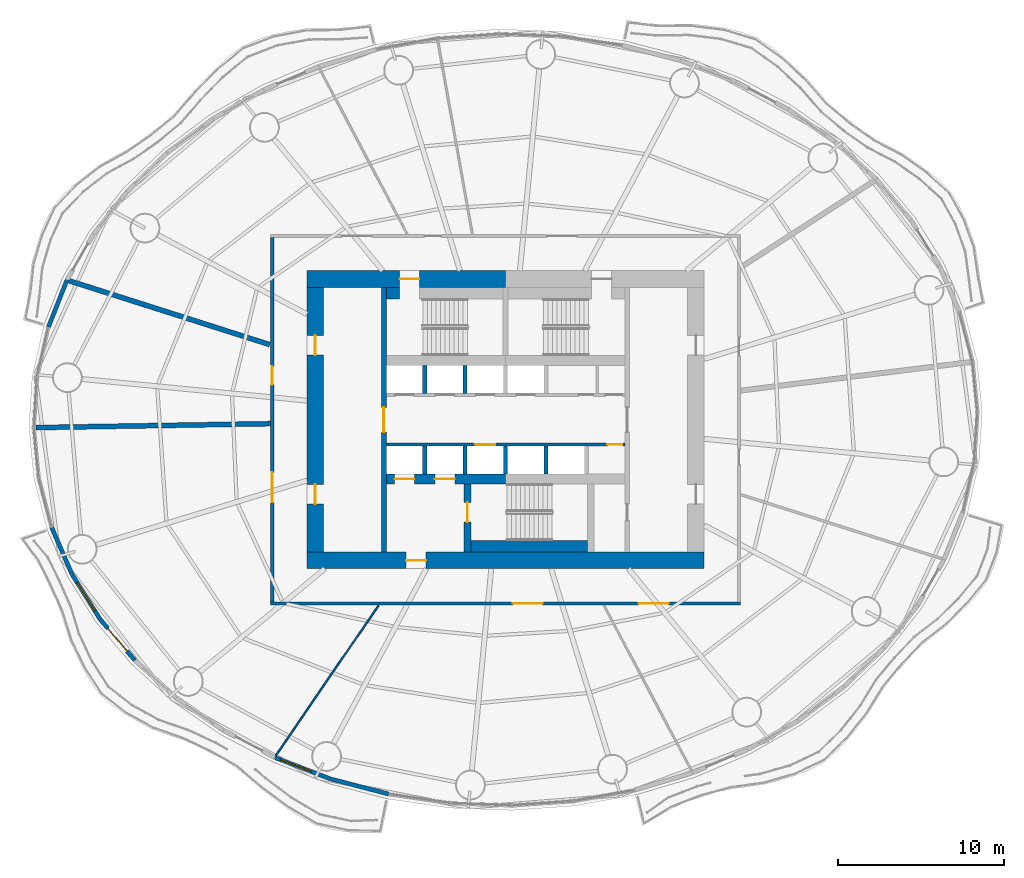
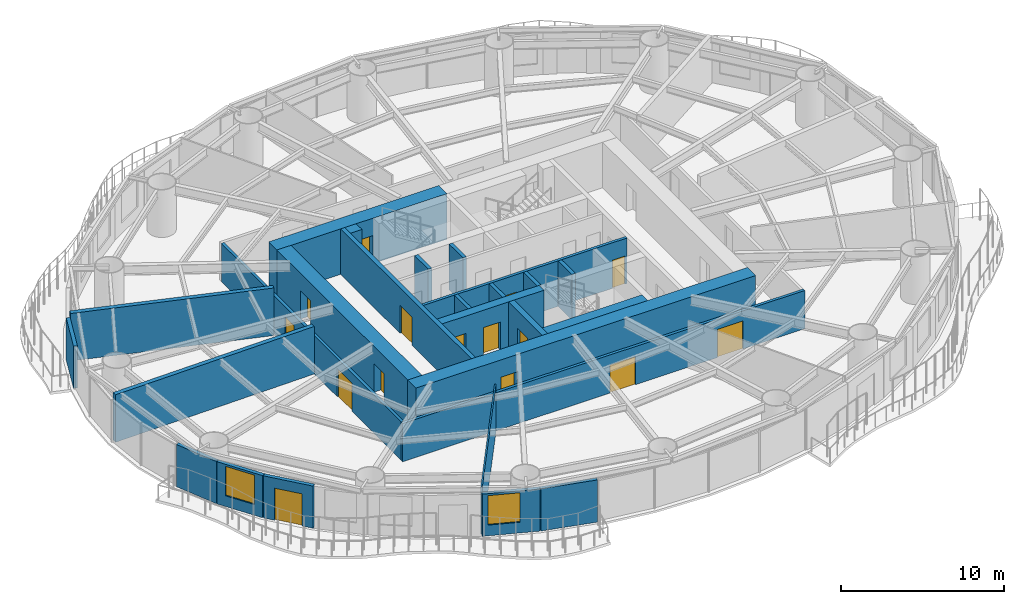
# One storey, part 8 of 17: 26 walls, 15 doors, 2 windows, 17 openings.
"""IFC4 building model written with IfcOpenShell, lengths in metres."""

from ifc_helpers import new_model, si_unit, direction, frame, frame_2d, origin, place, context, subcontext, project, spatial, rectangle, extrude, material, layer, layer_set, type_object, element, fill, save


model = new_model("IFC4")

# Units and contexts
model_context = context("Model", 3, precision=1e-05, world=origin(), true_north=direction((0.0, 1.0)))
body_context = subcontext(model_context, "Body", "Model", "MODEL_VIEW")
ifc_project = project(units=[si_unit("LENGTHUNIT", "METRE"), si_unit("AREAUNIT", "SQUARE_METRE"), si_unit("VOLUMEUNIT", "CUBIC_METRE"), si_unit("PLANEANGLEUNIT", "RADIAN"), si_unit("MASSUNIT", "GRAM", prefix="KILO")], contexts=[model_context])

# Site, building, storey
site_placement = place(None, origin())
site = spatial("IfcSite", under=ifc_project, at=site_placement, CompositionType="ELEMENT")
building_placement = place(site_placement, origin())
building = spatial("IfcBuilding", under=site, at=building_placement, Name="Vermilion Reach Broadcast Tower", CompositionType="ELEMENT")
storey_placement = place(building_placement, frame((0.0, 0.0, 39.699951171875)))
storey = spatial("IfcBuildingStorey", under=building, at=storey_placement, Name="L06", CompositionType="ELEMENT", Elevation=39.699951171875)

# Wall, opening, door
ifc_material_1 = material(Name="Concrete C70", Category="concrete")
ifc_layer_1 = layer(ifc_material_1, 0.300048828125)
ifc_layer_set_1 = layer_set([ifc_layer_1], Name="Core inner wall 300 mm Concrete C70")
wall_type_1 = type_object("IfcWallType", Name="Core inner wall 300 mm Concrete C70", PredefinedType="SHEAR", material=ifc_layer_set_1)
wall_1_placement = place(storey_placement, frame((-13.35009765625, 8.0, 0.0), z_axis=(0.0, 0.0, 1.0), x_axis=(0.0, -1.0, 0.0)))
wall_1 = element("IfcWall", 1, at=wall_1_placement, inside=storey, type_object=wall_type_1, Name="L06 core wall ewW", PredefinedType="SHEAR", context=body_context, shape_type="SweptSolid", body=[
    extrude(rectangle(XDim=16.0, YDim=0.300048828125, at=frame_2d((8.0, 0.0))), origin(), (0.0, 0.0, 1.0), 3.400146484375),
])
opening_1_placement = place(wall_1_placement, frame((7.25, 0.0, 0.0)))
opening_1 = element("IfcOpeningElement", 2, at=opening_1_placement, cuts=wall_1, Name="Opening D04", PredefinedType="OPENING", context=body_context, shape_type="SweptSolid", body=[
    extrude(rectangle(XDim=1.5, YDim=2.10009765625, at=frame_2d((0.75, 1.050048828125))), frame((0.0, 0.159912109375, 0.0), z_axis=(0.0, -1.0, 0.0), x_axis=(1.0, 0.0, 0.0)), (0.0, 0.0, 1.0), 0.320068359375),
])
ifc_material_2 = material(Name="Painted steel fire door", Category="steel")
door_type_1 = type_object("IfcDoorType", Name="Lift lobby door 1500 x 2100", OperationType="DOUBLE_DOOR_SINGLE_SWING", PredefinedType="NOTDEFINED", material=ifc_material_2)
door_1_placement = place(opening_1_placement, origin())
door_1 = element("IfcDoor", 3, at=door_1_placement, inside=storey, type_object=door_type_1, Name="L06 band door BW", OperationType="DOUBLE_DOOR_SINGLE_SWING", OverallHeight=2.10009765625, OverallWidth=1.5, PredefinedType="NOTDEFINED", context=body_context, shape_type="SweptSolid", body=[
    extrude(rectangle(XDim=1.5, YDim=2.10009765625, at=frame_2d((0.75, 1.050048828125))), frame((0.0, 0.02490234375, 0.0), z_axis=(0.0, -1.0, 0.0), x_axis=(1.0, 0.0, 0.0)), (0.0, 0.0, 1.0), 0.050048828125),
])
fill(opening_1, door_1)

ifc_material_3 = material(Name="Concrete C70", Category="concrete")
ifc_layer_2 = layer(ifc_material_3, 0.39990234375)
ifc_layer_set_2 = layer_set([ifc_layer_2], Name="Core inner wall 400 mm Concrete C70")
wall_type_2 = type_object("IfcWallType", Name="Core inner wall 400 mm Concrete C70", PredefinedType="SHEAR", material=ifc_layer_set_2)
wall_2_placement = place(storey_placement, frame((-8.300048828125, -3.8798828125, 0.0), z_axis=(0.0, 0.0, 1.0), x_axis=(0.0, -1.0, 0.0)))
wall_2 = element("IfcWall", 4, at=wall_2_placement, inside=storey, type_object=wall_type_2, Name="L06 core wall wa", PredefinedType="SHEAR", context=body_context, shape_type="SweptSolid", body=[
    extrude(rectangle(XDim=4.1201171875, YDim=0.39990234375, at=frame_2d((2.06005859375, 0.0))), origin(), (0.0, 0.0, 1.0), 3.400146484375),
])
opening_2_placement = place(wall_2_placement, frame((1.110107421875, 0.0, 0.0)))
opening_2 = element("IfcOpeningElement", 5, at=opening_2_placement, cuts=wall_2, Name="Opening D01", PredefinedType="OPENING", context=body_context, shape_type="SweptSolid", body=[
    extrude(rectangle(XDim=1.199951171875, YDim=2.10009765625, at=frame_2d((0.60009765625, 1.050048828125))), frame((0.0, 0.2099609375, 0.0), z_axis=(0.0, -1.0, 0.0), x_axis=(1.0, 0.0, 0.0)), (0.0, 0.0, 1.0), 0.419921875),
])
ifc_material_4 = material(Name="Painted steel fire door", Category="steel")
door_type_2 = type_object("IfcDoorType", Name="Stair door 1200 x 2100", OperationType="DOUBLE_DOOR_SINGLE_SWING", PredefinedType="NOTDEFINED", material=ifc_material_4)
door_2_placement = place(opening_2_placement, origin())
door_2 = element("IfcDoor", 6, at=door_2_placement, inside=storey, type_object=door_type_2, Name="L06 stair door ST3", OperationType="DOUBLE_DOOR_SINGLE_SWING", OverallHeight=2.10009765625, OverallWidth=1.199951171875, PredefinedType="NOTDEFINED", context=body_context, shape_type="SweptSolid", body=[
    extrude(rectangle(XDim=1.199951171875, YDim=2.10009765625, at=frame_2d((0.60009765625, 1.050048828125))), frame((0.0, 0.02490234375, 0.0), z_axis=(0.0, -1.0, 0.0), x_axis=(1.0, 0.0, 0.0)), (0.0, 0.0, 1.0), 0.050048828125),
])
fill(opening_2, door_2)

# Wall, openings, doors
ifc_material_5 = material(Name="Concrete C70", Category="concrete")
ifc_layer_3 = layer(ifc_material_5, 0.60009765625)
ifc_layer_set_3 = layer_set([ifc_layer_3], Name="Core inner wall 600 mm Concrete C70")
wall_type_3 = type_object("IfcWallType", Name="Core inner wall 600 mm Concrete C70", PredefinedType="SHEAR", material=ifc_layer_set_3)
wall_3_placement = place(storey_placement, frame((-13.199951171875, -3.580078125, 0.0), z_axis=(0.0, 0.0, 1.0), x_axis=(1.0, 0.0, 0.0)))
wall_3 = element("IfcWall", 7, at=wall_3_placement, inside=storey, type_object=wall_type_3, Name="L06 core wall wisW", PredefinedType="SHEAR", context=body_context, shape_type="SweptSolid", body=[
    extrude(rectangle(XDim=7.199951171875, YDim=0.60009765625, at=frame_2d((3.60009765625, 0.0))), origin(), (0.0, 0.0, 1.0), 3.400146484375),
])
opening_3_placement = place(wall_3_placement, frame((0.495849609375, 0.0, 0.0)))
opening_3 = element("IfcOpeningElement", 8, at=opening_3_placement, cuts=wall_3, Name="Opening LD1", PredefinedType="OPENING", context=body_context, shape_type="SweptSolid", body=[
    extrude(rectangle(XDim=1.199951171875, YDim=2.10009765625, at=frame_2d((0.60009765625, 1.050048828125))), frame((0.0, 0.31005859375, 0.0), z_axis=(0.0, -1.0, 0.0), x_axis=(1.0, 0.0, 0.0)), (0.0, 0.0, 1.0), 0.6201171875),
])
opening_4_placement = place(wall_3_placement, frame((2.9375, 0.0, 0.0)))
opening_4 = element("IfcOpeningElement", 9, at=opening_4_placement, cuts=wall_3, Name="Opening LD1", PredefinedType="OPENING", context=body_context, shape_type="SweptSolid", body=[
    extrude(rectangle(XDim=1.199951171875, YDim=2.10009765625, at=frame_2d((0.60009765625, 1.050048828125))), frame((0.0, 0.31005859375, 0.0), z_axis=(0.0, -1.0, 0.0), x_axis=(1.0, 0.0, 0.0)), (0.0, 0.0, 1.0), 0.6201171875),
])
ifc_material_6 = material(Name="Stainless steel", Category="steel")
door_type_3 = type_object("IfcDoorType", Name="Landing door 1200 x 2100", OperationType="DOUBLE_DOOR_SLIDING", PredefinedType="NOTDEFINED", material=ifc_material_6)
door_3_placement = place(opening_3_placement, origin())
door_3 = element("IfcDoor", 10, at=door_3_placement, inside=storey, type_object=door_type_3, Name="L06 landing door FF1", OperationType="DOUBLE_DOOR_SLIDING", OverallHeight=2.10009765625, OverallWidth=1.199951171875, PredefinedType="NOTDEFINED", context=body_context, shape_type="SweptSolid", body=[
    extrude(rectangle(XDim=1.199951171875, YDim=2.10009765625, at=frame_2d((0.60009765625, 1.050048828125))), frame((0.0, 0.02490234375, 0.0), z_axis=(0.0, -1.0, 0.0), x_axis=(1.0, 0.0, 0.0)), (0.0, 0.0, 1.0), 0.050048828125),
])
fill(opening_3, door_3)
door_4_placement = place(opening_4_placement, origin())
door_4 = element("IfcDoor", 11, at=door_4_placement, inside=storey, type_object=door_type_3, Name="L06 landing door FF2", OperationType="DOUBLE_DOOR_SLIDING", OverallHeight=2.10009765625, OverallWidth=1.199951171875, PredefinedType="NOTDEFINED", context=body_context, shape_type="SweptSolid", body=[
    extrude(rectangle(XDim=1.199951171875, YDim=2.10009765625, at=frame_2d((0.60009765625, 1.050048828125))), frame((0.0, 0.02490234375, 0.0), z_axis=(0.0, -1.0, 0.0), x_axis=(1.0, 0.0, 0.0)), (0.0, 0.0, 1.0), 0.050048828125),
])
fill(opening_4, door_4)

# Wall, opening, door
ifc_material_7 = material(Name="Concrete C70", Category="concrete")
ifc_layer_4 = layer(ifc_material_7, 1.0)
ifc_layer_set_4 = layer_set([ifc_layer_4], Name="Core outer wall 1000 mm Concrete C70")
wall_type_4 = type_object("IfcWallType", Name="Core outer wall 1000 mm Concrete C70", PredefinedType="SHEAR", material=ifc_layer_set_4)
wall_4_placement = place(storey_placement, frame((-6.0, 8.5, 0.0), z_axis=(0.0, 0.0, 1.0), x_axis=(-1.0, 0.0, 0.0)))
wall_4 = element("IfcWall", 12, at=wall_4_placement, inside=storey, type_object=wall_type_4, Name="L06 core wall onW", PredefinedType="SHEAR", context=body_context, shape_type="SweptSolid", body=[
    extrude(rectangle(XDim=12.0, YDim=1.0, at=frame_2d((6.0, 0.0))), origin(), (0.0, 0.0, 1.0), 3.400146484375),
])
opening_5_placement = place(wall_4_placement, frame((5.199951171875, 0.0, 0.0)))
opening_5 = element("IfcOpeningElement", 13, at=opening_5_placement, cuts=wall_4, Name="Opening D01", PredefinedType="OPENING", context=body_context, shape_type="SweptSolid", body=[
    extrude(rectangle(XDim=1.199951171875, YDim=2.10009765625, at=frame_2d((0.60009765625, 1.050048828125))), frame((0.0, 0.510009765625, 0.0), z_axis=(0.0, -1.0, 0.0), x_axis=(1.0, 0.0, 0.0)), (0.0, 0.0, 1.0), 1.02001953125),
])
door_5_placement = place(opening_5_placement, origin())
door_5 = element("IfcDoor", 14, at=door_5_placement, inside=storey, type_object=door_type_2, Name="L06 stair door ST1", OperationType="DOUBLE_DOOR_SINGLE_SWING", OverallHeight=2.10009765625, OverallWidth=1.199951171875, PredefinedType="NOTDEFINED", context=body_context, shape_type="SweptSolid", body=[
    extrude(rectangle(XDim=1.199951171875, YDim=2.10009765625, at=frame_2d((0.60009765625, 1.050048828125))), frame((0.0, 0.02490234375, 0.0), z_axis=(0.0, -1.0, 0.0), x_axis=(1.0, 0.0, 0.0)), (0.0, 0.0, 1.0), 0.050048828125),
])
fill(opening_5, door_5)

wall_5_placement = place(storey_placement, frame((-18.0, -8.5, 0.0), z_axis=(0.0, 0.0, 1.0), x_axis=(1.0, 0.0, 0.0)))
wall_5 = element("IfcWall", 15, at=wall_5_placement, inside=storey, type_object=wall_type_4, Name="L06 core wall os", PredefinedType="SHEAR", context=body_context, shape_type="SweptSolid", body=[
    extrude(rectangle(XDim=24.0, YDim=1.0, at=frame_2d((12.0, 0.0))), origin(), (0.0, 0.0, 1.0), 3.400146484375),
])
opening_6_placement = place(wall_5_placement, frame((6.0, 0.0, 0.0)))
opening_6 = element("IfcOpeningElement", 16, at=opening_6_placement, cuts=wall_5, Name="Opening D02", PredefinedType="OPENING", context=body_context, shape_type="SweptSolid", body=[
    extrude(rectangle(XDim=1.199951171875, YDim=2.10009765625, at=frame_2d((0.60009765625, 1.050048828125))), frame((0.0, 0.510009765625, 0.0), z_axis=(0.0, -1.0, 0.0), x_axis=(1.0, 0.0, 0.0)), (0.0, 0.0, 1.0), 1.02001953125),
])
ifc_material_8 = material(Name="Painted steel fire door", Category="steel")
door_type_4 = type_object("IfcDoorType", Name="Firefighting lobby door 1200 x 2100", OperationType="DOUBLE_DOOR_SINGLE_SWING", PredefinedType="NOTDEFINED", material=ifc_material_8)
door_6_placement = place(opening_6_placement, origin())
door_6 = element("IfcDoor", 17, at=door_6_placement, inside=storey, type_object=door_type_4, Name="L06 ffdoor door FFL", OperationType="DOUBLE_DOOR_SINGLE_SWING", OverallHeight=2.10009765625, OverallWidth=1.199951171875, PredefinedType="NOTDEFINED", context=body_context, shape_type="SweptSolid", body=[
    extrude(rectangle(XDim=1.199951171875, YDim=2.10009765625, at=frame_2d((0.60009765625, 1.050048828125))), frame((0.0, 0.02490234375, 0.0), z_axis=(0.0, -1.0, 0.0), x_axis=(1.0, 0.0, 0.0)), (0.0, 0.0, 1.0), 0.050048828125),
])
fill(opening_6, door_6)

# Wall, openings, doors
wall_6_placement = place(storey_placement, frame((-17.5, 8.0, 0.0), z_axis=(0.0, 0.0, 1.0), x_axis=(0.0, -1.0, 0.0)))
wall_6 = element("IfcWall", 18, at=wall_6_placement, inside=storey, type_object=wall_type_4, Name="L06 core wall ow", PredefinedType="SHEAR", context=body_context, shape_type="SweptSolid", body=[
    extrude(rectangle(XDim=16.0, YDim=1.0, at=frame_2d((8.0, 0.0))), origin(), (0.0, 0.0, 1.0), 3.400146484375),
])
opening_7_placement = place(wall_6_placement, frame((11.89990234375, 0.0, 0.0)))
opening_7 = element("IfcOpeningElement", 19, at=opening_7_placement, cuts=wall_6, Name="Opening D03", PredefinedType="OPENING", context=body_context, shape_type="SweptSolid", body=[
    extrude(rectangle(XDim=1.199951171875, YDim=2.10009765625, at=frame_2d((0.60009765625, 1.050048828125))), frame((0.0, 0.510009765625, 0.0), z_axis=(0.0, -1.0, 0.0), x_axis=(1.0, 0.0, 0.0)), (0.0, 0.0, 1.0), 1.02001953125),
])
opening_8_placement = place(wall_6_placement, frame((2.89990234375, 0.0, 0.0)))
opening_8 = element("IfcOpeningElement", 20, at=opening_8_placement, cuts=wall_6, Name="Opening D03", PredefinedType="OPENING", context=body_context, shape_type="SweptSolid", body=[
    extrude(rectangle(XDim=1.199951171875, YDim=2.10009765625, at=frame_2d((0.60009765625, 1.050048828125))), frame((0.0, 0.510009765625, 0.0), z_axis=(0.0, -1.0, 0.0), x_axis=(1.0, 0.0, 0.0)), (0.0, 0.0, 1.0), 1.02001953125),
])
ifc_material_9 = material(Name="Painted steel fire door", Category="steel")
door_type_5 = type_object("IfcDoorType", Name="Core lobby door 1200 x 2100", OperationType="DOUBLE_DOOR_SINGLE_SWING", PredefinedType="NOTDEFINED", material=ifc_material_9)
door_7_placement = place(opening_7_placement, origin())
door_7 = element("IfcDoor", 21, at=door_7_placement, inside=storey, type_object=door_type_5, Name="L06 slot door W0", OperationType="DOUBLE_DOOR_SINGLE_SWING", OverallHeight=2.10009765625, OverallWidth=1.199951171875, PredefinedType="NOTDEFINED", context=body_context, shape_type="SweptSolid", body=[
    extrude(rectangle(XDim=1.199951171875, YDim=2.10009765625, at=frame_2d((0.60009765625, 1.050048828125))), frame((0.0, 0.02490234375, 0.0), z_axis=(0.0, -1.0, 0.0), x_axis=(1.0, 0.0, 0.0)), (0.0, 0.0, 1.0), 0.050048828125),
])
fill(opening_7, door_7)
door_8_placement = place(opening_8_placement, origin())
door_8 = element("IfcDoor", 22, at=door_8_placement, inside=storey, type_object=door_type_5, Name="L06 slot door W1", OperationType="DOUBLE_DOOR_SINGLE_SWING", OverallHeight=2.10009765625, OverallWidth=1.199951171875, PredefinedType="NOTDEFINED", context=body_context, shape_type="SweptSolid", body=[
    extrude(rectangle(XDim=1.199951171875, YDim=2.10009765625, at=frame_2d((0.60009765625, 1.050048828125))), frame((0.0, 0.02490234375, 0.0), z_axis=(0.0, -1.0, 0.0), x_axis=(1.0, 0.0, 0.0)), (0.0, 0.0, 1.0), 0.050048828125),
])
fill(opening_8, door_8)

ifc_material_10 = material(Name="Concrete C50", Category="concrete")
ifc_layer_5 = layer(ifc_material_10, 0.199951171875)
ifc_layer_set_5 = layer_set([ifc_layer_5], Name="Core shaft wall 200 mm Concrete C50")
wall_type_5 = type_object("IfcWallType", Name="Core shaft wall 200 mm Concrete C50", PredefinedType="SHEAR", material=ifc_layer_set_5)
wall_7_placement = place(storey_placement, frame((1.199951171875, -1.5, 0.0), z_axis=(0.0, 0.0, 1.0), x_axis=(-1.0, 0.0, 0.0)))
wall_7 = element("IfcWall", 23, at=wall_7_placement, inside=storey, type_object=wall_type_5, Name="L06 core wall fs", PredefinedType="SHEAR", context=body_context, shape_type="SweptSolid", body=[
    extrude(rectangle(XDim=14.39990234375, YDim=0.199951171875, at=frame_2d((7.199951171875, 0.0))), origin(), (0.0, 0.0, 1.0), 3.400146484375),
])
opening_9_placement = place(wall_7_placement, frame((7.82080078125, 0.0, 0.0)))
opening_9 = element("IfcOpeningElement", 24, at=opening_9_placement, cuts=wall_7, Name="Opening LD1", PredefinedType="OPENING", context=body_context, shape_type="SweptSolid", body=[
    extrude(rectangle(XDim=1.199951171875, YDim=2.10009765625, at=frame_2d((0.60009765625, 1.050048828125))), frame((0.0, 0.10986328125, 0.0), z_axis=(0.0, -1.0, 0.0), x_axis=(1.0, 0.0, 0.0)), (0.0, 0.0, 1.0), 0.219970703125),
])
opening_10_placement = place(wall_7_placement, frame((0.14990234375, 0.0, 0.0)))
opening_10 = element("IfcOpeningElement", 25, at=opening_10_placement, cuts=wall_7, Name="Opening D06", PredefinedType="OPENING", context=body_context, shape_type="SweptSolid", body=[
    extrude(rectangle(XDim=0.89990234375, YDim=2.10009765625, at=frame_2d((0.449951171875, 1.050048828125))), frame((0.0, 0.10986328125, 0.0), z_axis=(0.0, -1.0, 0.0), x_axis=(1.0, 0.0, 0.0)), (0.0, 0.0, 1.0), 0.219970703125),
])
door_9_placement = place(opening_9_placement, origin())
door_9 = element("IfcDoor", 26, at=door_9_placement, inside=storey, type_object=door_type_3, Name="L06 landing door SV1", OperationType="DOUBLE_DOOR_SLIDING", OverallHeight=2.10009765625, OverallWidth=1.199951171875, PredefinedType="NOTDEFINED", context=body_context, shape_type="SweptSolid", body=[
    extrude(rectangle(XDim=1.199951171875, YDim=2.10009765625, at=frame_2d((0.60009765625, 1.050048828125))), frame((0.0, 0.02490234375, 0.0), z_axis=(0.0, -1.0, 0.0), x_axis=(1.0, 0.0, 0.0)), (0.0, 0.0, 1.0), 0.050048828125),
])
fill(opening_9, door_9)
ifc_material_11 = material(Name="Timber door", Category="wood")
door_type_6 = type_object("IfcDoorType", Name="WC door 900 x 2100", OperationType="NOTDEFINED", PredefinedType="NOTDEFINED", material=ifc_material_11)
door_10_placement = place(opening_10_placement, origin())
door_10 = element("IfcDoor", 27, at=door_10_placement, inside=storey, type_object=door_type_6, Name="L06 door Male WC", OperationType="SINGLE_SWING_LEFT", OverallHeight=2.10009765625, OverallWidth=0.89990234375, PredefinedType="NOTDEFINED", context=body_context, shape_type="SweptSolid", body=[
    extrude(rectangle(XDim=0.89990234375, YDim=2.10009765625, at=frame_2d((0.449951171875, 1.050048828125))), frame((0.0, 0.02490234375, 0.0), z_axis=(0.0, -1.0, 0.0), x_axis=(1.0, 0.0, 0.0)), (0.0, 0.0, 1.0), 0.050048828125),
])
fill(opening_10, door_10)

# Walls
ifc_material_12 = material(Name="Concrete C50", Category="concrete")
ifc_layer_6 = layer(ifc_material_12, 0.25)
ifc_layer_set_6 = layer_set([ifc_layer_6], Name="Core shaft wall 250 mm Concrete C50")
wall_type_6 = type_object("IfcWallType", Name="Core shaft wall 250 mm Concrete C50", PredefinedType="SHEAR", material=ifc_layer_set_6)
for number, where, z_axis, x_axis, name in (
    (28, (-10.88330078125, 1.60009765625, 0.0), (0.0, 0.0, 1.0), (0.0, 1.0, 0.0), "L06 core wall psN0"),
    (29, (-8.441650390625, 1.60009765625, 0.0), (0.0, 0.0, 1.0), (0.0, 1.0, 0.0), "L06 core wall psN1"),
    (30, (-10.88330078125, -1.60009765625, 0.0), (0.0, 0.0, 1.0), (0.0, -1.0, 0.0), "L06 core wall psS0"),
    (31, (-8.441650390625, -1.60009765625, 0.0), (0.0, 0.0, 1.0), (0.0, -1.0, 0.0), "L06 core wall psS1"),
    (32, (-6.0, -1.60009765625, 0.0), (0.0, 0.0, 1.0), (0.0, -1.0, 0.0), "L06 core wall psS2"),
    (33, (-3.558349609375, -1.60009765625, 0.0), (0.0, 0.0, 1.0), (0.0, -1.0, 0.0), "L06 core wall psS3"),
):
    element("IfcWall", number, at=place(storey_placement, frame(where, z_axis=z_axis, x_axis=x_axis)), inside=storey, type_object=wall_type_6, Name=name, PredefinedType="SHEAR", context=body_context, shape_type="SweptSolid", body=[
        extrude(rectangle(XDim=1.679931640625, YDim=0.25, at=frame_2d((0.83984375, 0.0))), origin(), (0.0, 0.0, 1.0), 3.400146484375),
    ])
ifc_material_13 = material(Name="Concrete C70", Category="concrete")
ifc_layer_7 = layer(ifc_material_13, 0.699951171875)
ifc_layer_set_7 = layer_set([ifc_layer_7], Name="Core stair wall 700 mm Concrete C70")
wall_type_7 = type_object("IfcWallType", Name="Core stair wall 700 mm Concrete C70", PredefinedType="SHEAR", material=ifc_layer_set_7)
wall_8_placement = place(storey_placement, frame((-13.199951171875, 7.64990234375, 0.0), z_axis=(0.0, 0.0, 1.0), x_axis=(1.0, 0.0, 0.0)))
element("IfcWall", 34, at=wall_8_placement, inside=storey, type_object=wall_type_7, Name="L06 core wall l1a", PredefinedType="SHEAR", context=body_context, shape_type="SweptSolid", body=[
    extrude(rectangle(XDim=0.800048828125, YDim=0.699951171875, at=frame_2d((0.39990234375, 0.0))), origin(), (0.0, 0.0, 1.0), 3.400146484375),
])
wall_9_placement = place(storey_placement, frame((-8.10009765625, -7.64990234375, 0.0), z_axis=(0.0, 0.0, 1.0), x_axis=(1.0, 0.0, 0.0)))
element("IfcWall", 35, at=wall_9_placement, inside=storey, type_object=wall_type_7, Name="L06 core wall l3", PredefinedType="SHEAR", context=body_context, shape_type="SweptSolid", body=[
    extrude(rectangle(XDim=7.050048828125, YDim=0.699951171875, at=frame_2d((3.52490234375, 0.0))), origin(), (0.0, 0.0, 1.0), 3.400146484375),
])
ifc_material_14 = material(Name="Plasterboard on steel stud", Category="steel")
ifc_layer_8 = layer(ifc_material_14, 0.10009765625)
ifc_layer_set_8 = layer_set([ifc_layer_8], Name="Partition 100 steel stud")
wall_type_8 = type_object("IfcWallType", Name="Partition 100 steel stud", PredefinedType="PARTITIONING", material=ifc_layer_set_8)
wall_10_placement = place(storey_placement, frame((-19.8798828125, -20.2890625, 0.0), z_axis=(0.0, 0.0, 1.0), x_axis=(0.564621729177, 0.82534980641, 0.0)))
element("IfcWall", 36, at=wall_10_placement, inside=storey, type_object=wall_type_8, Name="Partition 6.07", PredefinedType="PARTITIONING", context=body_context, shape_type="SweptSolid", body=[
    extrude(rectangle(XDim=10.97802734375, YDim=0.10009765625, at=frame_2d((5.489013671875, 0.0))), origin(), (0.0, 0.0, 1.0), 3.550048828125),
])
ifc_material_15 = material(Name="Double-leaf plasterboard on isolated steel stud", Category="steel")
ifc_layer_9 = layer(ifc_material_15, 0.300048828125)
ifc_layer_set_9 = layer_set([ifc_layer_9], Name="Partition 300 acoustic double leaf")
wall_type_9 = type_object("IfcWallType", Name="Partition 300 acoustic double leaf", PredefinedType="PARTITIONING", material=ifc_layer_set_9)
wall_11_placement = place(storey_placement, frame((-32.372314453125, 8.398681640625, 0.0), z_axis=(0.0, 0.0, 1.0), x_axis=(0.952850421319, -0.303440397101, 0.0)))
element("IfcWall", 37, at=wall_11_placement, inside=storey, type_object=wall_type_9, Name="Partition 6.05", PredefinedType="PARTITIONING", context=body_context, shape_type="SweptSolid", body=[
    extrude(rectangle(XDim=12.726806640625, YDim=0.300048828125, at=frame_2d((6.36328125, 0.0))), origin(), (0.0, 0.0, 1.0), 3.550048828125),
])
wall_12_placement = place(storey_placement, frame((-34.370361328125, -0.475341796875, 0.0), z_axis=(0.0, 0.0, 1.0), x_axis=(0.999859758648, 0.016747030697, 0.0)))
element("IfcWall", 38, at=wall_12_placement, inside=storey, type_object=wall_type_9, Name="Partition 6.06", PredefinedType="PARTITIONING", context=body_context, shape_type="SweptSolid", body=[
    extrude(rectangle(XDim=14.169921875, YDim=0.300048828125, at=frame_2d((7.0849609375, 0.0))), origin(), (0.0, 0.0, 1.0), 3.550048828125),
])
ifc_material_16 = material(Name="Terracotta rainscreen cladding", Category="masonry")
ifc_layer_10 = layer(ifc_material_16, 0.25)
ifc_layer_set_10 = layer_set([ifc_layer_10], Name="Terracotta rainscreen wall 250")
wall_type_10 = type_object("IfcWallType", Name="Terracotta rainscreen wall 250", PredefinedType="SOLIDWALL", material=ifc_layer_set_10)
for number, where, z_axis, x_axis, name in (
    (39, (-32.48974609375, 8.44091796875, 0.0), (0.0, 0.0, 1.0), (-0.367150133135, -0.93016169548, 0.0), "External wall L06 21"),
    (40, (-33.406494140625, -6.525634765625, 0.0), (0.0, 0.0, 1.0), (0.398117264061, -0.917334532249, 0.0), "External wall L06 26"),
):
    element("IfcWall", number, at=place(storey_placement, frame(where, z_axis=z_axis, x_axis=x_axis)), inside=storey, type_object=wall_type_10, Name=name, PredefinedType="SOLIDWALL", context=body_context, shape_type="SweptSolid", body=[
        extrude(rectangle(XDim=3.05029296875, YDim=0.25, at=frame_2d((1.525146484375, 0.0))), origin(), (0.0, 0.0, 1.0), 3.150146484375),
    ])

# Wall, opening, window
wall_13_placement = place(storey_placement, frame((-32.1796875, -9.34716796875, 0.0), z_axis=(0.0, 0.0, 1.0), x_axis=(0.529936462225, -0.848037349416, 0.0)))
wall_13 = element("IfcWall", 41, at=wall_13_placement, inside=storey, type_object=wall_type_10, Name="External wall L06 27", PredefinedType="SOLIDWALL", context=body_context, shape_type="SweptSolid", body=[
    extrude(rectangle(XDim=3.161376953125, YDim=0.25, at=frame_2d((1.58056640625, 0.0))), origin(), (0.0, 0.0, 1.0), 3.150146484375),
])
opening_11_placement = place(wall_13_placement, frame((0.58056640625, 0.0, 0.800048828125)))
opening_11 = element("IfcOpeningElement", 42, at=opening_11_placement, cuts=wall_13, Name="Opening W01", PredefinedType="OPENING", context=body_context, shape_type="SweptSolid", body=[
    extrude(rectangle(XDim=2.0, YDim=2.199951171875, at=frame_2d((1.0, 1.10009765625))), frame((0.0, 0.135009765625, 0.0), z_axis=(0.0, -1.0, 0.0), x_axis=(1.0, 0.0, 0.0)), (0.0, 0.0, 1.0), 0.27001953125),
])
ifc_material_17 = material(Name="Low-e laminated clear glass in aluminium frame", Category="aluminium")
window_type = type_object("IfcWindowType", Name="Punched window 2000 x 2200 sill 800", PartitioningType="SINGLE_PANEL", PredefinedType="WINDOW", material=ifc_material_17)
window_1_placement = place(opening_11_placement, origin())
window_1 = element("IfcWindow", 43, at=window_1_placement, inside=storey, type_object=window_type, Name="Window L06 27", OverallHeight=2.199951171875, OverallWidth=2.0, PartitioningType="SINGLE_PANEL", PredefinedType="WINDOW", context=body_context, shape_type="SweptSolid", body=[
    extrude(rectangle(XDim=2.0, YDim=2.199951171875, at=frame_2d((1.0, 1.10009765625))), frame((0.0, 0.030029296875, 0.0), z_axis=(0.0, -1.0, 0.0), x_axis=(1.0, 0.0, 0.0)), (0.0, 0.0, 1.0), 0.06005859375),
])
fill(opening_11, window_1)

# Wall, opening, door
wall_14_placement = place(storey_placement, frame((-30.4892578125, -12.049072265625, 0.0), z_axis=(0.0, 0.0, 1.0), x_axis=(0.644879179912, -0.76428453034, 0.0)))
wall_14 = element("IfcWall", 44, at=wall_14_placement, inside=storey, type_object=wall_type_10, Name="External wall L06 28", PredefinedType="SOLIDWALL", context=body_context, shape_type="SweptSolid", body=[
    extrude(rectangle(XDim=3.244873046875, YDim=0.25, at=frame_2d((1.62255859375, 0.0))), origin(), (0.0, 0.0, 1.0), 3.150146484375),
])
opening_12_placement = place(wall_14_placement, frame((0.721923828125, 0.0, 0.0)))
opening_12 = element("IfcOpeningElement", 45, at=opening_12_placement, cuts=wall_14, Name="Opening D70", PredefinedType="OPENING", context=body_context, shape_type="SweptSolid", body=[
    extrude(rectangle(XDim=1.800048828125, YDim=2.39990234375, at=frame_2d((0.89990234375, 1.199951171875))), frame((0.0, 0.135009765625, 0.0), z_axis=(0.0, -1.0, 0.0), x_axis=(1.0, 0.0, 0.0)), (0.0, 0.0, 1.0), 0.27001953125),
])
ifc_material_18 = material(Name="Low-e laminated clear glass in aluminium frame", Category="aluminium")
door_type_7 = type_object("IfcDoorType", Name="Balcony sliding door 1800 x 2400", OperationType="DOUBLE_DOOR_SLIDING", PredefinedType="DOOR", material=ifc_material_18)
door_11_placement = place(opening_12_placement, origin())
door_11 = element("IfcDoor", 46, at=door_11_placement, inside=storey, type_object=door_type_7, Name="Balcony door L06 run 07", OperationType="DOUBLE_DOOR_SLIDING", OverallHeight=2.39990234375, OverallWidth=1.800048828125, PredefinedType="DOOR", context=body_context, shape_type="SweptSolid", body=[
    extrude(rectangle(XDim=1.800048828125, YDim=2.39990234375, at=frame_2d((0.89990234375, 1.199951171875))), frame((0.0, 0.02490234375, 0.0), z_axis=(0.0, -1.0, 0.0), x_axis=(1.0, 0.0, 0.0)), (0.0, 0.0, 1.0), 0.050048828125),
])
fill(opening_12, door_11)

# Wall, opening, window
wall_15_placement = place(storey_placement, frame((-19.9208984375, -20.406982421875, 0.0), z_axis=(0.0, 0.0, 1.0), x_axis=(0.933305255529, -0.359083973468, 0.0)))
wall_15 = element("IfcWall", 47, at=wall_15_placement, inside=storey, type_object=wall_type_10, Name="External wall L06 32", PredefinedType="SOLIDWALL", context=body_context, shape_type="SweptSolid", body=[
    extrude(rectangle(XDim=3.587158203125, YDim=0.25, at=frame_2d((1.79345703125, 0.0))), origin(), (0.0, 0.0, 1.0), 3.150146484375),
])
opening_13_placement = place(wall_15_placement, frame((0.343994140625, 0.0, 0.800048828125)))
opening_13 = element("IfcOpeningElement", 48, at=opening_13_placement, cuts=wall_15, Name="Opening W01", PredefinedType="OPENING", context=body_context, shape_type="SweptSolid", body=[
    extrude(rectangle(XDim=2.0, YDim=2.199951171875, at=frame_2d((1.0, 1.10009765625))), frame((0.0, 0.135009765625, 0.0), z_axis=(0.0, -1.0, 0.0), x_axis=(1.0, 0.0, 0.0)), (0.0, 0.0, 1.0), 0.27001953125),
])
window_2_placement = place(opening_13_placement, origin())
window_2 = element("IfcWindow", 49, at=window_2_placement, inside=storey, type_object=window_type, Name="Window L06 32", OverallHeight=2.199951171875, OverallWidth=2.0, PartitioningType="SINGLE_PANEL", PredefinedType="WINDOW", context=body_context, shape_type="SweptSolid", body=[
    extrude(rectangle(XDim=2.0, YDim=2.199951171875, at=frame_2d((1.0, 1.10009765625))), frame((0.0, 0.030029296875, 0.0), z_axis=(0.0, -1.0, 0.0), x_axis=(1.0, 0.0, 0.0)), (0.0, 0.0, 1.0), 0.06005859375),
])
fill(opening_13, window_2)

# Wall
wall_16_placement = place(storey_placement, frame((-16.5517578125, -21.701904296875, 0.0), z_axis=(0.0, 0.0, 1.0), x_axis=(0.967782560997, -0.25178743938, 0.0)))
element("IfcWall", 50, at=wall_16_placement, inside=storey, type_object=wall_type_10, Name="External wall L06 33", PredefinedType="SOLIDWALL", context=body_context, shape_type="SweptSolid", body=[
    extrude(rectangle(XDim=3.60302734375, YDim=0.25, at=frame_2d((1.801513671875, 0.0))), origin(), (0.0, 0.0, 1.0), 3.150146484375),
])

# Wall, openings, doors
ifc_material_19 = material(Name="Fire-rated gypsum board partition")
ifc_layer_11 = layer(ifc_material_19, 0.199951171875)
ifc_layer_set_11 = layer_set([ifc_layer_11], Name="Under girder: Corridor wall 200 fire-rated")
wall_type_11 = type_object("IfcWallType", Name="Under girder: Corridor wall 200 fire-rated", PredefinedType="PARTITIONING", material=ifc_layer_set_11)
wall_17_placement = place(storey_placement, frame((8.199951171875, -11.10009765625, 0.0), z_axis=(0.0, 0.0, 1.0), x_axis=(-1.0, 0.0, 0.0)))
wall_17 = element("IfcWall", 51, at=wall_17_placement, inside=storey, type_object=wall_type_11, Name="Corridor wall 6.S", PredefinedType="PARTITIONING", context=body_context, shape_type="SweptSolid", body=[
    extrude(rectangle(XDim=28.39990234375, YDim=0.199951171875, at=frame_2d((14.199951171875, 0.0))), origin(), (0.0, 0.0, 1.0), 2.85009765625),
])
opening_14_placement = place(wall_17_placement, frame((11.96435546875, 0.0, 0.0)))
opening_14 = element("IfcOpeningElement", 52, at=opening_14_placement, cuts=wall_17, Name="Opening D21", PredefinedType="OPENING", context=body_context, shape_type="SweptSolid", body=[
    extrude(rectangle(XDim=1.800048828125, YDim=2.10009765625, at=frame_2d((0.89990234375, 1.050048828125))), frame((0.0, 0.10986328125, 0.0), z_axis=(0.0, -1.0, 0.0), x_axis=(1.0, 0.0, 0.0)), (0.0, 0.0, 1.0), 0.219970703125),
])
opening_15_placement = place(wall_17_placement, frame((4.355712890625, 0.0, 0.0)))
opening_15 = element("IfcOpeningElement", 53, at=opening_15_placement, cuts=wall_17, Name="Opening D21", PredefinedType="OPENING", context=body_context, shape_type="SweptSolid", body=[
    extrude(rectangle(XDim=1.800048828125, YDim=2.10009765625, at=frame_2d((0.89990234375, 1.050048828125))), frame((0.0, 0.10986328125, 0.0), z_axis=(0.0, -1.0, 0.0), x_axis=(1.0, 0.0, 0.0)), (0.0, 0.0, 1.0), 0.219970703125),
])
ifc_material_20 = material(Name="Timber door leaf", Category="wood")
door_type_8 = type_object("IfcDoorType", Name="Door pair 1800x2100", OperationType="NOTDEFINED", PredefinedType="DOOR", material=ifc_material_20)
door_12_placement = place(opening_14_placement, origin())
door_12 = element("IfcDoor", 54, at=door_12_placement, inside=storey, type_object=door_type_8, Name="Door 6.07", OperationType="DOUBLE_DOOR_SINGLE_SWING", OverallHeight=2.10009765625, OverallWidth=1.800048828125, PredefinedType="DOOR", context=body_context, shape_type="SweptSolid", body=[
    extrude(rectangle(XDim=1.800048828125, YDim=2.10009765625, at=frame_2d((0.89990234375, 1.050048828125))), frame((0.0, 0.02490234375, 0.0), z_axis=(0.0, -1.0, 0.0), x_axis=(1.0, 0.0, 0.0)), (0.0, 0.0, 1.0), 0.050048828125),
])
fill(opening_14, door_12)
door_13_placement = place(opening_15_placement, origin())
door_13 = element("IfcDoor", 55, at=door_13_placement, inside=storey, type_object=door_type_8, Name="Door 6.08", OperationType="DOUBLE_DOOR_SINGLE_SWING", OverallHeight=2.10009765625, OverallWidth=1.800048828125, PredefinedType="DOOR", context=body_context, shape_type="SweptSolid", body=[
    extrude(rectangle(XDim=1.800048828125, YDim=2.10009765625, at=frame_2d((0.89990234375, 1.050048828125))), frame((0.0, 0.02490234375, 0.0), z_axis=(0.0, -1.0, 0.0), x_axis=(1.0, 0.0, 0.0)), (0.0, 0.0, 1.0), 0.050048828125),
])
fill(opening_15, door_13)

wall_18_placement = place(storey_placement, frame((-20.10009765625, -11.0, 0.0), z_axis=(0.0, 0.0, 1.0), x_axis=(0.0, 1.0, 0.0)))
wall_18 = element("IfcWall", 56, at=wall_18_placement, inside=storey, type_object=wall_type_11, Name="Corridor wall 6.W", PredefinedType="PARTITIONING", context=body_context, shape_type="SweptSolid", body=[
    extrude(rectangle(XDim=22.0, YDim=0.199951171875, at=frame_2d((11.0, 0.0))), origin(), (0.0, 0.0, 1.0), 2.85009765625),
])
opening_16_placement = place(wall_18_placement, frame((13.124267578125, 0.0, 0.0)))
opening_16 = element("IfcOpeningElement", 57, at=opening_16_placement, cuts=wall_18, Name="Opening D28", PredefinedType="OPENING", context=body_context, shape_type="SweptSolid", body=[
    extrude(rectangle(XDim=1.10009765625, YDim=2.10009765625, at=frame_2d((0.550048828125, 1.050048828125))), frame((0.0, 0.10986328125, 0.0), z_axis=(0.0, -1.0, 0.0), x_axis=(1.0, 0.0, 0.0)), (0.0, 0.0, 1.0), 0.219970703125),
])
opening_17_placement = place(wall_18_placement, frame((6.013427734375, 0.0, 0.0)))
opening_17 = element("IfcOpeningElement", 58, at=opening_17_placement, cuts=wall_18, Name="Opening D21", PredefinedType="OPENING", context=body_context, shape_type="SweptSolid", body=[
    extrude(rectangle(XDim=1.800048828125, YDim=2.10009765625, at=frame_2d((0.89990234375, 1.050048828125))), frame((0.0, 0.10986328125, 0.0), z_axis=(0.0, -1.0, 0.0), x_axis=(1.0, 0.0, 0.0)), (0.0, 0.0, 1.0), 0.219970703125),
])
door_14_placement = place(opening_17_placement, origin())
door_14 = element("IfcDoor", 59, at=door_14_placement, inside=storey, type_object=door_type_8, Name="Door 6.06", OperationType="DOUBLE_DOOR_SINGLE_SWING", OverallHeight=2.10009765625, OverallWidth=1.800048828125, PredefinedType="DOOR", context=body_context, shape_type="SweptSolid", body=[
    extrude(rectangle(XDim=1.800048828125, YDim=2.10009765625, at=frame_2d((0.89990234375, 1.050048828125))), frame((0.0, 0.02490234375, 0.0), z_axis=(0.0, -1.0, 0.0), x_axis=(1.0, 0.0, 0.0)), (0.0, 0.0, 1.0), 0.050048828125),
])
fill(opening_17, door_14)
ifc_material_21 = material(Name="Acoustic sound-lock door leaf")
door_type_9 = type_object("IfcDoorType", Name="Door single 1100x2100", OperationType="NOTDEFINED", PredefinedType="DOOR", material=ifc_material_21)
door_15_placement = place(opening_16_placement, origin())
door_15 = element("IfcDoor", 60, at=door_15_placement, inside=storey, type_object=door_type_9, Name="Door 6.05", OperationType="SINGLE_SWING_RIGHT", OverallHeight=2.10009765625, OverallWidth=1.10009765625, PredefinedType="DOOR", context=body_context, shape_type="SweptSolid", body=[
    extrude(rectangle(XDim=1.10009765625, YDim=2.10009765625, at=frame_2d((0.550048828125, 1.050048828125))), frame((0.0, 0.02490234375, 0.0), z_axis=(0.0, -1.0, 0.0), x_axis=(1.0, 0.0, 0.0)), (0.0, 0.0, 1.0), 0.050048828125),
])
fill(opening_16, door_15)

save(model, "model.ifc")
